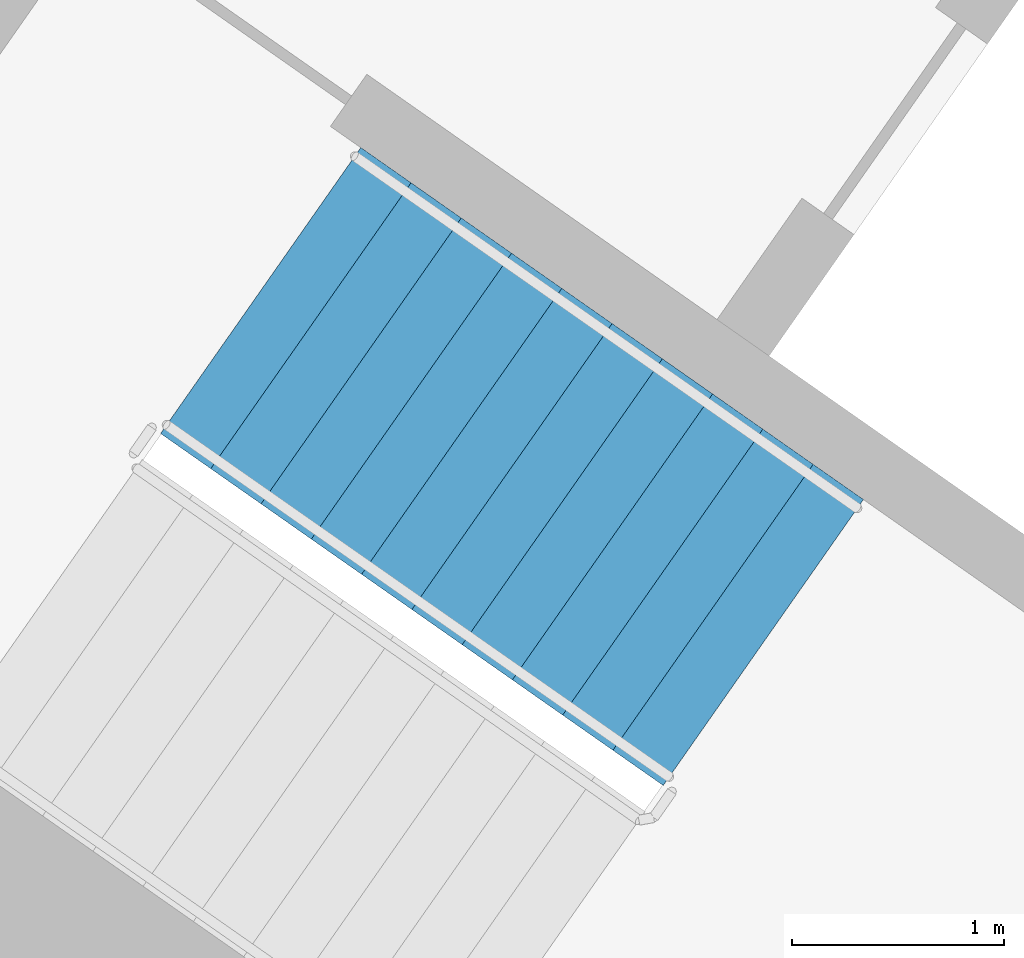
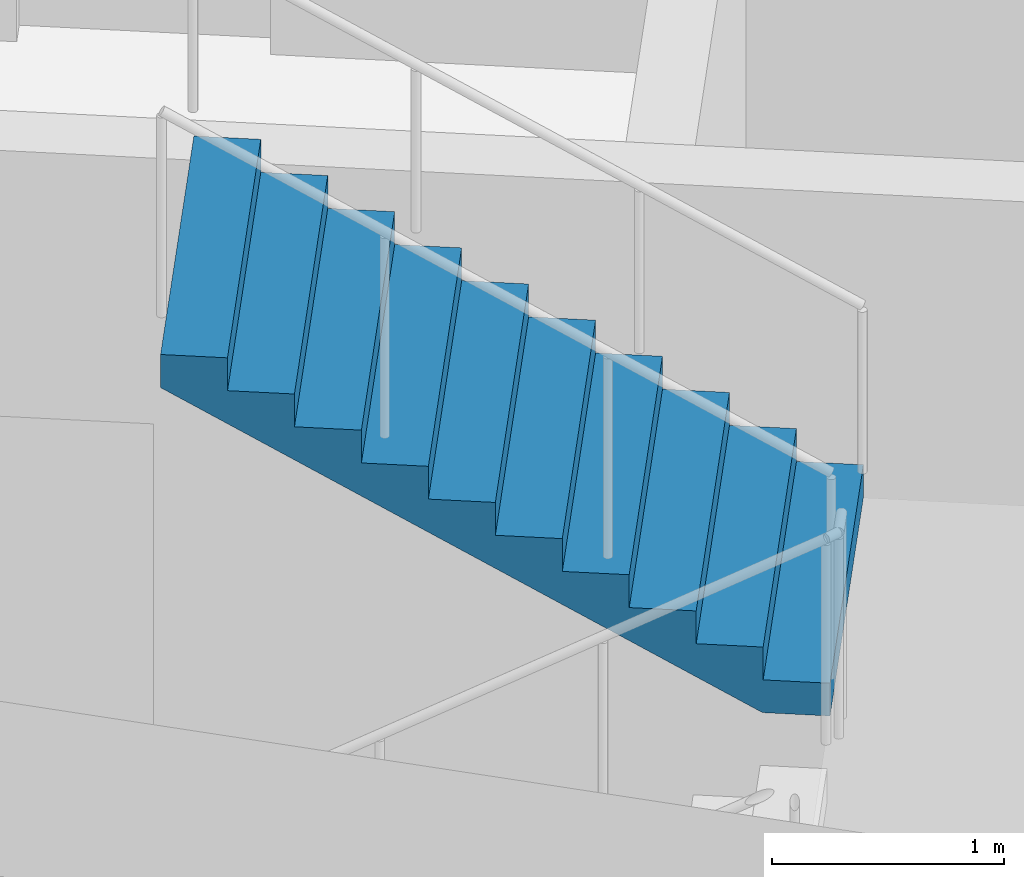
# One storey, part 11 of 30: 1 stair flight, 1 element without a shape of its own.
"""IFC4 building model written with IfcOpenShell, lengths in metres."""

from ifc_helpers import new_model, si_unit, direction, frame, origin, place, context, subcontext, project, spatial, faceted_brep, material, type_object, element, aggregate, save


model = new_model("IFC4")

# Units and contexts
model_context = context("Model", 3, precision=1e-05, world=origin(), true_north=direction((0.0, 1.0)))
body_context = subcontext(model_context, "Body", "Model", "MODEL_VIEW")
ifc_project = project(units=[si_unit("LENGTHUNIT", "METRE"), si_unit("AREAUNIT", "SQUARE_METRE"), si_unit("VOLUMEUNIT", "CUBIC_METRE"), si_unit("PLANEANGLEUNIT", "RADIAN"), si_unit("MASSUNIT", "GRAM", prefix="KILO")], contexts=[model_context])

# Site, building, storey
site_placement = place(None, origin())
site = spatial("IfcSite", under=ifc_project, at=site_placement, CompositionType="ELEMENT")
building_placement = place(site_placement, origin())
building = spatial("IfcBuilding", under=site, at=building_placement, Name="Qamariyya Broadcast Tower", CompositionType="ELEMENT")
storey_placement = place(building_placement, frame((0.0, 0.0, 110.10009765625)))
storey = spatial("IfcBuildingStorey", under=building, at=storey_placement, Name="L24", CompositionType="ELEMENT", Elevation=110.10009765625)

# Stair, stair flight
ifc_material = material(Name="Concrete C50/60", Category="concrete")
stair_type = type_object("IfcStairType", Name="Exit stair 22 risers of 173 mm", PredefinedType="HALF_TURN_STAIR", material=ifc_material)
stair_placement = place(storey_placement, origin())
stair = element("IfcStair", 1, at=stair_placement, inside=storey, type_object=stair_type, Name="L24 Stair W1", PredefinedType="HALF_TURN_STAIR")
stair_flight_type = type_object("IfcStairFlightType", Name="Exit stair flight 11 risers of 173 mm", PredefinedType="STRAIGHT", material=ifc_material)
stair_flight_placement = place(storey_placement, frame((-43.660888671875, -57.17138671875, 1.89990234375), z_axis=(0.0, 0.0, 1.0), x_axis=(-0.819152044289, 0.573576436351, 0.0)))
stair_flight = element("IfcStairFlight", 2, at=stair_flight_placement, type_object=stair_flight_type, Name="ST-W1 flight 2", NumberOfRisers=11, NumberOfTreads=10, PredefinedType="STRAIGHT", RiserHeight=0.172727273, TreadLength=0.29, context=body_context, shape_type="Brep", body=[
    faceted_brep([(0.0, 0.824951171875, 0.0), (0.0, 0.824951171875, 0.172607421875), (0.2900390625, 0.824951171875, 0.172607421875), (0.2900390625, 0.824951171875, 0.345458984375), (0.580078125, 0.824951171875, 0.345458984375), (0.580078125, 0.824951171875, 0.51806640625), (0.8701171875, 0.824951171875, 0.51806640625), (0.8701171875, 0.824951171875, 0.69091796875), (1.159912109375, 0.824951171875, 0.69091796875), (1.159912109375, 0.824951171875, 0.863525390625), (1.449951171875, 0.824951171875, 0.863525390625), (1.449951171875, 0.824951171875, 1.036376953125), (1.739990234375, 0.824951171875, 1.036376953125), (1.739990234375, 0.824951171875, 1.208984375), (2.030029296875, 0.824951171875, 1.208984375), (2.030029296875, 0.824951171875, 1.3818359375), (2.320068359375, 0.824951171875, 1.3818359375), (2.320068359375, 0.824951171875, 1.554443359375), (2.610107421875, 0.824951171875, 1.554443359375), (2.610107421875, 0.824951171875, 1.727294921875), (2.89990234375, 0.824951171875, 1.727294921875), (2.89990234375, 0.824951171875, 1.552734375), (0.29296875, 0.824951171875, 0.0), (0.29296875, -0.824951171875, 0.0), (2.89990234375, -0.824951171875, 1.552734375), (2.89990234375, -0.824951171875, 1.727294921875), (2.610107421875, -0.824951171875, 1.727294921875), (2.610107421875, -0.824951171875, 1.554443359375), (2.320068359375, -0.824951171875, 1.554443359375), (2.320068359375, -0.824951171875, 1.3818359375), (2.030029296875, -0.824951171875, 1.3818359375), (2.030029296875, -0.824951171875, 1.208984375), (1.739990234375, -0.824951171875, 1.208984375), (1.739990234375, -0.824951171875, 1.036376953125), (1.449951171875, -0.824951171875, 1.036376953125), (1.449951171875, -0.824951171875, 0.863525390625), (1.159912109375, -0.824951171875, 0.863525390625), (1.159912109375, -0.824951171875, 0.69091796875), (0.8701171875, -0.824951171875, 0.69091796875), (0.8701171875, -0.824951171875, 0.51806640625), (0.580078125, -0.824951171875, 0.51806640625), (0.580078125, -0.824951171875, 0.345458984375), (0.2900390625, -0.824951171875, 0.345458984375), (0.2900390625, -0.824951171875, 0.172607421875), (0.0, -0.824951171875, 0.172607421875), (0.0, -0.824951171875, 0.0), (0.0, 0.10009765625, 0.0), (0.0, 0.086669921875, 0.0), (0.0, 0.0732421875, 0.0), (0.0, 0.06005859375, 0.0), (0.0, 0.046630859375, 0.0), (0.0, 0.033447265625, 0.0), (0.0, 0.02001953125, 0.0), (0.0, 0.006591796875, 0.0), (0.0, -0.006591796875, 0.0), (0.0, -0.02001953125, 0.0), (0.0, -0.033447265625, 0.0), (0.0, -0.046630859375, 0.0), (0.0, -0.06005859375, 0.0), (0.0, -0.0732421875, 0.0), (0.0, -0.086669921875, 0.0), (0.0, -0.10009765625, 0.0), (0.0, -0.10009765625, 0.172607421875), (0.0, -0.086669921875, 0.172607421875), (0.0, -0.0732421875, 0.172607421875), (0.0, -0.06005859375, 0.172607421875), (0.0, -0.046630859375, 0.172607421875), (0.0, -0.033447265625, 0.172607421875), (0.0, -0.02001953125, 0.172607421875), (0.0, -0.006591796875, 0.172607421875), (0.0, 0.006591796875, 0.172607421875), (0.0, 0.02001953125, 0.172607421875), (0.0, 0.033447265625, 0.172607421875), (0.0, 0.046630859375, 0.172607421875), (0.0, 0.06005859375, 0.172607421875), (0.0, 0.0732421875, 0.172607421875), (0.0, 0.086669921875, 0.172607421875), (0.0, 0.10009765625, 0.172607421875), (0.2900390625, -0.10009765625, 0.172607421875), (0.2900390625, -0.086669921875, 0.172607421875), (0.2900390625, -0.0732421875, 0.172607421875), (0.2900390625, -0.06005859375, 0.172607421875), (0.2900390625, -0.046630859375, 0.172607421875), (0.2900390625, -0.033447265625, 0.172607421875), (0.2900390625, -0.02001953125, 0.172607421875), (0.2900390625, -0.006591796875, 0.172607421875), (0.2900390625, 0.006591796875, 0.172607421875), (0.2900390625, 0.02001953125, 0.172607421875), (0.2900390625, 0.033447265625, 0.172607421875), (0.2900390625, 0.046630859375, 0.172607421875), (0.2900390625, 0.06005859375, 0.172607421875), (0.2900390625, 0.0732421875, 0.172607421875), (0.2900390625, 0.086669921875, 0.172607421875), (0.2900390625, 0.10009765625, 0.172607421875), (0.2900390625, -0.10009765625, 0.345458984375), (0.2900390625, -0.086669921875, 0.345458984375), (0.2900390625, -0.0732421875, 0.345458984375), (0.2900390625, -0.06005859375, 0.345458984375), (0.2900390625, -0.046630859375, 0.345458984375), (0.2900390625, -0.033447265625, 0.345458984375), (0.2900390625, -0.02001953125, 0.345458984375), (0.2900390625, -0.006591796875, 0.345458984375), (0.2900390625, 0.006591796875, 0.345458984375), (0.2900390625, 0.02001953125, 0.345458984375), (0.2900390625, 0.033447265625, 0.345458984375), (0.2900390625, 0.046630859375, 0.345458984375), (0.2900390625, 0.06005859375, 0.345458984375), (0.2900390625, 0.0732421875, 0.345458984375), (0.2900390625, 0.086669921875, 0.345458984375), (0.2900390625, 0.10009765625, 0.345458984375), (0.580078125, -0.10009765625, 0.345458984375), (0.580078125, -0.086669921875, 0.345458984375), (0.580078125, -0.0732421875, 0.345458984375), (0.580078125, -0.06005859375, 0.345458984375), (0.580078125, -0.046630859375, 0.345458984375), (0.580078125, -0.033447265625, 0.345458984375), (0.580078125, -0.02001953125, 0.345458984375), (0.580078125, -0.006591796875, 0.345458984375), (0.580078125, 0.006591796875, 0.345458984375), (0.580078125, 0.02001953125, 0.345458984375), (0.580078125, 0.033447265625, 0.345458984375), (0.580078125, 0.046630859375, 0.345458984375), (0.580078125, 0.06005859375, 0.345458984375), (0.580078125, 0.0732421875, 0.345458984375), (0.580078125, 0.086669921875, 0.345458984375), (0.580078125, 0.10009765625, 0.345458984375), (0.580078125, -0.10009765625, 0.51806640625), (0.580078125, -0.086669921875, 0.51806640625), (0.580078125, -0.0732421875, 0.51806640625), (0.580078125, -0.06005859375, 0.51806640625), (0.580078125, -0.046630859375, 0.51806640625), (0.580078125, -0.033447265625, 0.51806640625), (0.580078125, -0.02001953125, 0.51806640625), (0.580078125, -0.006591796875, 0.51806640625), (0.580078125, 0.006591796875, 0.51806640625), (0.580078125, 0.02001953125, 0.51806640625), (0.580078125, 0.033447265625, 0.51806640625), (0.580078125, 0.046630859375, 0.51806640625), (0.580078125, 0.06005859375, 0.51806640625), (0.580078125, 0.0732421875, 0.51806640625), (0.580078125, 0.086669921875, 0.51806640625), (0.580078125, 0.10009765625, 0.51806640625), (0.8701171875, -0.10009765625, 0.51806640625), (0.8701171875, -0.086669921875, 0.51806640625), (0.8701171875, -0.0732421875, 0.51806640625), (0.8701171875, -0.06005859375, 0.51806640625), (0.8701171875, -0.046630859375, 0.51806640625), (0.8701171875, -0.033447265625, 0.51806640625), (0.8701171875, -0.02001953125, 0.51806640625), (0.8701171875, -0.006591796875, 0.51806640625), (0.8701171875, 0.006591796875, 0.51806640625), (0.8701171875, 0.02001953125, 0.51806640625), (0.8701171875, 0.033447265625, 0.51806640625), (0.8701171875, 0.046630859375, 0.51806640625), (0.8701171875, 0.06005859375, 0.51806640625), (0.8701171875, 0.0732421875, 0.51806640625), (0.8701171875, 0.086669921875, 0.51806640625), (0.8701171875, 0.10009765625, 0.51806640625), (0.8701171875, -0.10009765625, 0.69091796875), (0.8701171875, -0.086669921875, 0.69091796875), (0.8701171875, -0.0732421875, 0.69091796875), (0.8701171875, -0.06005859375, 0.69091796875), (0.8701171875, -0.046630859375, 0.69091796875), (0.8701171875, -0.033447265625, 0.69091796875), (0.8701171875, -0.02001953125, 0.69091796875), (0.8701171875, -0.006591796875, 0.69091796875), (0.8701171875, 0.006591796875, 0.69091796875), (0.8701171875, 0.02001953125, 0.69091796875), (0.8701171875, 0.033447265625, 0.69091796875), (0.8701171875, 0.046630859375, 0.69091796875), (0.8701171875, 0.06005859375, 0.69091796875), (0.8701171875, 0.0732421875, 0.69091796875), (0.8701171875, 0.086669921875, 0.69091796875), (0.8701171875, 0.10009765625, 0.69091796875), (1.159912109375, -0.10009765625, 0.69091796875), (1.159912109375, -0.086669921875, 0.69091796875), (1.159912109375, -0.0732421875, 0.69091796875), (1.159912109375, -0.06005859375, 0.69091796875), (1.159912109375, -0.046630859375, 0.69091796875), (1.159912109375, -0.033447265625, 0.69091796875), (1.159912109375, -0.02001953125, 0.69091796875), (1.159912109375, -0.006591796875, 0.69091796875), (1.159912109375, 0.006591796875, 0.69091796875), (1.159912109375, 0.02001953125, 0.69091796875), (1.159912109375, 0.033447265625, 0.69091796875), (1.159912109375, 0.046630859375, 0.69091796875), (1.159912109375, 0.06005859375, 0.69091796875), (1.159912109375, 0.0732421875, 0.69091796875), (1.159912109375, 0.086669921875, 0.69091796875), (1.159912109375, 0.10009765625, 0.69091796875), (1.159912109375, -0.10009765625, 0.863525390625), (1.159912109375, -0.086669921875, 0.863525390625), (1.159912109375, -0.0732421875, 0.863525390625), (1.159912109375, -0.06005859375, 0.863525390625), (1.159912109375, -0.046630859375, 0.863525390625), (1.159912109375, -0.033447265625, 0.863525390625), (1.159912109375, -0.02001953125, 0.863525390625), (1.159912109375, -0.006591796875, 0.863525390625), (1.159912109375, 0.006591796875, 0.863525390625), (1.159912109375, 0.02001953125, 0.863525390625), (1.159912109375, 0.033447265625, 0.863525390625), (1.159912109375, 0.046630859375, 0.863525390625), (1.159912109375, 0.06005859375, 0.863525390625), (1.159912109375, 0.0732421875, 0.863525390625), (1.159912109375, 0.086669921875, 0.863525390625), (1.159912109375, 0.10009765625, 0.863525390625), (1.449951171875, -0.10009765625, 0.863525390625), (1.449951171875, -0.086669921875, 0.863525390625), (1.449951171875, -0.0732421875, 0.863525390625), (1.449951171875, -0.06005859375, 0.863525390625), (1.449951171875, -0.046630859375, 0.863525390625), (1.449951171875, -0.033447265625, 0.863525390625), (1.449951171875, -0.02001953125, 0.863525390625), (1.449951171875, -0.006591796875, 0.863525390625), (1.449951171875, 0.006591796875, 0.863525390625), (1.449951171875, 0.02001953125, 0.863525390625), (1.449951171875, 0.033447265625, 0.863525390625), (1.449951171875, 0.046630859375, 0.863525390625), (1.449951171875, 0.06005859375, 0.863525390625), (1.449951171875, 0.0732421875, 0.863525390625), (1.449951171875, 0.086669921875, 0.863525390625), (1.449951171875, 0.10009765625, 0.863525390625), (1.449951171875, -0.10009765625, 1.036376953125), (1.449951171875, -0.086669921875, 1.036376953125), (1.449951171875, -0.0732421875, 1.036376953125), (1.449951171875, -0.06005859375, 1.036376953125), (1.449951171875, -0.046630859375, 1.036376953125), (1.449951171875, -0.033447265625, 1.036376953125), (1.449951171875, -0.02001953125, 1.036376953125), (1.449951171875, -0.006591796875, 1.036376953125), (1.449951171875, 0.006591796875, 1.036376953125), (1.449951171875, 0.02001953125, 1.036376953125), (1.449951171875, 0.033447265625, 1.036376953125), (1.449951171875, 0.046630859375, 1.036376953125), (1.449951171875, 0.06005859375, 1.036376953125), (1.449951171875, 0.0732421875, 1.036376953125), (1.449951171875, 0.086669921875, 1.036376953125), (1.449951171875, 0.10009765625, 1.036376953125), (1.739990234375, -0.10009765625, 1.036376953125), (1.739990234375, -0.086669921875, 1.036376953125), (1.739990234375, -0.0732421875, 1.036376953125), (1.739990234375, -0.06005859375, 1.036376953125), (1.739990234375, -0.046630859375, 1.036376953125), (1.739990234375, -0.033447265625, 1.036376953125), (1.739990234375, -0.02001953125, 1.036376953125), (1.739990234375, -0.006591796875, 1.036376953125), (1.739990234375, 0.006591796875, 1.036376953125), (1.739990234375, 0.02001953125, 1.036376953125), (1.739990234375, 0.033447265625, 1.036376953125), (1.739990234375, 0.046630859375, 1.036376953125), (1.739990234375, 0.06005859375, 1.036376953125), (1.739990234375, 0.0732421875, 1.036376953125), (1.739990234375, 0.086669921875, 1.036376953125), (1.739990234375, 0.10009765625, 1.036376953125), (1.739990234375, -0.10009765625, 1.208984375), (1.739990234375, -0.086669921875, 1.208984375), (1.739990234375, -0.0732421875, 1.208984375), (1.739990234375, -0.06005859375, 1.208984375), (1.739990234375, -0.046630859375, 1.208984375), (1.739990234375, -0.033447265625, 1.208984375), (1.739990234375, -0.02001953125, 1.208984375), (1.739990234375, -0.006591796875, 1.208984375), (1.739990234375, 0.006591796875, 1.208984375), (1.739990234375, 0.02001953125, 1.208984375), (1.739990234375, 0.033447265625, 1.208984375), (1.739990234375, 0.046630859375, 1.208984375), (1.739990234375, 0.06005859375, 1.208984375), (1.739990234375, 0.0732421875, 1.208984375), (1.739990234375, 0.086669921875, 1.208984375), (1.739990234375, 0.10009765625, 1.208984375), (2.030029296875, -0.10009765625, 1.208984375), (2.030029296875, -0.086669921875, 1.208984375), (2.030029296875, -0.0732421875, 1.208984375), (2.030029296875, -0.06005859375, 1.208984375), (2.030029296875, -0.046630859375, 1.208984375), (2.030029296875, -0.033447265625, 1.208984375), (2.030029296875, -0.02001953125, 1.208984375), (2.030029296875, -0.006591796875, 1.208984375), (2.030029296875, 0.006591796875, 1.208984375), (2.030029296875, 0.02001953125, 1.208984375), (2.030029296875, 0.033447265625, 1.208984375), (2.030029296875, 0.046630859375, 1.208984375), (2.030029296875, 0.06005859375, 1.208984375), (2.030029296875, 0.0732421875, 1.208984375), (2.030029296875, 0.086669921875, 1.208984375), (2.030029296875, 0.10009765625, 1.208984375), (2.030029296875, -0.10009765625, 1.3818359375), (2.030029296875, -0.086669921875, 1.3818359375), (2.030029296875, -0.0732421875, 1.3818359375), (2.030029296875, -0.06005859375, 1.3818359375), (2.030029296875, -0.046630859375, 1.3818359375), (2.030029296875, -0.033447265625, 1.3818359375), (2.030029296875, -0.02001953125, 1.3818359375), (2.030029296875, -0.006591796875, 1.3818359375), (2.030029296875, 0.006591796875, 1.3818359375), (2.030029296875, 0.02001953125, 1.3818359375), (2.030029296875, 0.033447265625, 1.3818359375), (2.030029296875, 0.046630859375, 1.3818359375), (2.030029296875, 0.06005859375, 1.3818359375), (2.030029296875, 0.0732421875, 1.3818359375), (2.030029296875, 0.086669921875, 1.3818359375), (2.030029296875, 0.10009765625, 1.3818359375), (2.320068359375, -0.10009765625, 1.3818359375), (2.320068359375, -0.086669921875, 1.3818359375), (2.320068359375, -0.0732421875, 1.3818359375), (2.320068359375, -0.06005859375, 1.3818359375), (2.320068359375, -0.046630859375, 1.3818359375), (2.320068359375, -0.033447265625, 1.3818359375), (2.320068359375, -0.02001953125, 1.3818359375), (2.320068359375, -0.006591796875, 1.3818359375), (2.320068359375, 0.006591796875, 1.3818359375), (2.320068359375, 0.02001953125, 1.3818359375), (2.320068359375, 0.033447265625, 1.3818359375), (2.320068359375, 0.046630859375, 1.3818359375), (2.320068359375, 0.06005859375, 1.3818359375), (2.320068359375, 0.0732421875, 1.3818359375), (2.320068359375, 0.086669921875, 1.3818359375), (2.320068359375, 0.10009765625, 1.3818359375), (2.320068359375, -0.10009765625, 1.554443359375), (2.320068359375, -0.086669921875, 1.554443359375), (2.320068359375, -0.0732421875, 1.554443359375), (2.320068359375, -0.06005859375, 1.554443359375), (2.320068359375, -0.046630859375, 1.554443359375), (2.320068359375, -0.033447265625, 1.554443359375), (2.320068359375, -0.02001953125, 1.554443359375), (2.320068359375, -0.006591796875, 1.554443359375), (2.320068359375, 0.006591796875, 1.554443359375), (2.320068359375, 0.02001953125, 1.554443359375), (2.320068359375, 0.033447265625, 1.554443359375), (2.320068359375, 0.046630859375, 1.554443359375), (2.320068359375, 0.06005859375, 1.554443359375), (2.320068359375, 0.0732421875, 1.554443359375), (2.320068359375, 0.086669921875, 1.554443359375), (2.320068359375, 0.10009765625, 1.554443359375), (2.610107421875, -0.10009765625, 1.554443359375), (2.610107421875, -0.086669921875, 1.554443359375), (2.610107421875, -0.0732421875, 1.554443359375), (2.610107421875, -0.06005859375, 1.554443359375), (2.610107421875, -0.046630859375, 1.554443359375), (2.610107421875, -0.033447265625, 1.554443359375), (2.610107421875, -0.02001953125, 1.554443359375), (2.610107421875, -0.006591796875, 1.554443359375), (2.610107421875, 0.006591796875, 1.554443359375), (2.610107421875, 0.02001953125, 1.554443359375), (2.610107421875, 0.033447265625, 1.554443359375), (2.610107421875, 0.046630859375, 1.554443359375), (2.610107421875, 0.06005859375, 1.554443359375), (2.610107421875, 0.0732421875, 1.554443359375), (2.610107421875, 0.086669921875, 1.554443359375), (2.610107421875, 0.10009765625, 1.554443359375), (2.610107421875, -0.10009765625, 1.727294921875), (2.610107421875, -0.086669921875, 1.727294921875), (2.610107421875, -0.0732421875, 1.727294921875), (2.610107421875, -0.06005859375, 1.727294921875), (2.610107421875, -0.046630859375, 1.727294921875), (2.610107421875, -0.033447265625, 1.727294921875), (2.610107421875, -0.02001953125, 1.727294921875), (2.610107421875, -0.006591796875, 1.727294921875), (2.610107421875, 0.006591796875, 1.727294921875), (2.610107421875, 0.02001953125, 1.727294921875), (2.610107421875, 0.033447265625, 1.727294921875), (2.610107421875, 0.046630859375, 1.727294921875), (2.610107421875, 0.06005859375, 1.727294921875), (2.610107421875, 0.0732421875, 1.727294921875), (2.610107421875, 0.086669921875, 1.727294921875), (2.610107421875, 0.10009765625, 1.727294921875), (2.89990234375, -0.10009765625, 1.727294921875), (2.89990234375, -0.086669921875, 1.727294921875), (2.89990234375, -0.0732421875, 1.727294921875), (2.89990234375, -0.06005859375, 1.727294921875), (2.89990234375, -0.046630859375, 1.727294921875), (2.89990234375, -0.033447265625, 1.727294921875), (2.89990234375, -0.02001953125, 1.727294921875), (2.89990234375, -0.006591796875, 1.727294921875), (2.89990234375, 0.006591796875, 1.727294921875), (2.89990234375, 0.02001953125, 1.727294921875), (2.89990234375, 0.033447265625, 1.727294921875), (2.89990234375, 0.046630859375, 1.727294921875), (2.89990234375, 0.06005859375, 1.727294921875), (2.89990234375, 0.0732421875, 1.727294921875), (2.89990234375, 0.086669921875, 1.727294921875), (2.89990234375, 0.10009765625, 1.727294921875), (2.89990234375, -0.10009765625, 1.552734375), (2.89990234375, -0.086669921875, 1.552734375), (2.89990234375, -0.0732421875, 1.552734375), (2.89990234375, -0.06005859375, 1.552734375), (2.89990234375, -0.046630859375, 1.552734375), (2.89990234375, -0.033447265625, 1.552734375), (2.89990234375, -0.02001953125, 1.552734375), (2.89990234375, -0.006591796875, 1.552734375), (2.89990234375, 0.006591796875, 1.552734375), (2.89990234375, 0.02001953125, 1.552734375), (2.89990234375, 0.033447265625, 1.552734375), (2.89990234375, 0.046630859375, 1.552734375), (2.89990234375, 0.06005859375, 1.552734375), (2.89990234375, 0.0732421875, 1.552734375), (2.89990234375, 0.086669921875, 1.552734375), (2.89990234375, 0.10009765625, 1.552734375), (0.29296875, -0.10009765625, 0.0), (0.29296875, -0.086669921875, 0.0), (0.29296875, -0.0732421875, 0.0), (0.29296875, -0.06005859375, 0.0), (0.29296875, -0.046630859375, 0.0), (0.29296875, -0.033447265625, 0.0), (0.29296875, -0.02001953125, 0.0), (0.29296875, -0.006591796875, 0.0), (0.29296875, 0.006591796875, 0.0), (0.29296875, 0.02001953125, 0.0), (0.29296875, 0.033447265625, 0.0), (0.29296875, 0.046630859375, 0.0), (0.29296875, 0.06005859375, 0.0), (0.29296875, 0.0732421875, 0.0), (0.29296875, 0.086669921875, 0.0), (0.29296875, 0.10009765625, 0.0)], [[[0, 1, 2, 3, 4, 5, 6, 7, 8, 9, 10, 11, 12, 13, 14, 15, 16, 17, 18, 19, 20, 21, 22]], [[23, 24, 25, 26, 27, 28, 29, 30, 31, 32, 33, 34, 35, 36, 37, 38, 39, 40, 41, 42, 43, 44, 45]], [[0, 46, 47, 48, 49, 50, 51, 52, 53, 54, 55, 56, 57, 58, 59, 60, 61, 45, 44, 62, 63, 64, 65, 66, 67, 68, 69, 70, 71, 72, 73, 74, 75, 76, 77, 1]], [[1, 77, 76, 75, 74, 73, 72, 71, 70, 69, 68, 67, 66, 65, 64, 63, 62, 44, 43, 78, 79, 80, 81, 82, 83, 84, 85, 86, 87, 88, 89, 90, 91, 92, 93, 2]], [[2, 93, 92, 91, 90, 89, 88, 87, 86, 85, 84, 83, 82, 81, 80, 79, 78, 43, 42, 94, 95, 96, 97, 98, 99, 100, 101, 102, 103, 104, 105, 106, 107, 108, 109, 3]], [[3, 109, 108, 107, 106, 105, 104, 103, 102, 101, 100, 99, 98, 97, 96, 95, 94, 42, 41, 110, 111, 112, 113, 114, 115, 116, 117, 118, 119, 120, 121, 122, 123, 124, 125, 4]], [[4, 125, 124, 123, 122, 121, 120, 119, 118, 117, 116, 115, 114, 113, 112, 111, 110, 41, 40, 126, 127, 128, 129, 130, 131, 132, 133, 134, 135, 136, 137, 138, 139, 140, 141, 5]], [[5, 141, 140, 139, 138, 137, 136, 135, 134, 133, 132, 131, 130, 129, 128, 127, 126, 40, 39, 142, 143, 144, 145, 146, 147, 148, 149, 150, 151, 152, 153, 154, 155, 156, 157, 6]], [[6, 157, 156, 155, 154, 153, 152, 151, 150, 149, 148, 147, 146, 145, 144, 143, 142, 39, 38, 158, 159, 160, 161, 162, 163, 164, 165, 166, 167, 168, 169, 170, 171, 172, 173, 7]], [[7, 173, 172, 171, 170, 169, 168, 167, 166, 165, 164, 163, 162, 161, 160, 159, 158, 38, 37, 174, 175, 176, 177, 178, 179, 180, 181, 182, 183, 184, 185, 186, 187, 188, 189, 8]], [[8, 189, 188, 187, 186, 185, 184, 183, 182, 181, 180, 179, 178, 177, 176, 175, 174, 37, 36, 190, 191, 192, 193, 194, 195, 196, 197, 198, 199, 200, 201, 202, 203, 204, 205, 9]], [[9, 205, 204, 203, 202, 201, 200, 199, 198, 197, 196, 195, 194, 193, 192, 191, 190, 36, 35, 206, 207, 208, 209, 210, 211, 212, 213, 214, 215, 216, 217, 218, 219, 220, 221, 10]], [[10, 221, 220, 219, 218, 217, 216, 215, 214, 213, 212, 211, 210, 209, 208, 207, 206, 35, 34, 222, 223, 224, 225, 226, 227, 228, 229, 230, 231, 232, 233, 234, 235, 236, 237, 11]], [[11, 237, 236, 235, 234, 233, 232, 231, 230, 229, 228, 227, 226, 225, 224, 223, 222, 34, 33, 238, 239, 240, 241, 242, 243, 244, 245, 246, 247, 248, 249, 250, 251, 252, 253, 12]], [[12, 253, 252, 251, 250, 249, 248, 247, 246, 245, 244, 243, 242, 241, 240, 239, 238, 33, 32, 254, 255, 256, 257, 258, 259, 260, 261, 262, 263, 264, 265, 266, 267, 268, 269, 13]], [[13, 269, 268, 267, 266, 265, 264, 263, 262, 261, 260, 259, 258, 257, 256, 255, 254, 32, 31, 270, 271, 272, 273, 274, 275, 276, 277, 278, 279, 280, 281, 282, 283, 284, 285, 14]], [[14, 285, 284, 283, 282, 281, 280, 279, 278, 277, 276, 275, 274, 273, 272, 271, 270, 31, 30, 286, 287, 288, 289, 290, 291, 292, 293, 294, 295, 296, 297, 298, 299, 300, 301, 15]], [[15, 301, 300, 299, 298, 297, 296, 295, 294, 293, 292, 291, 290, 289, 288, 287, 286, 30, 29, 302, 303, 304, 305, 306, 307, 308, 309, 310, 311, 312, 313, 314, 315, 316, 317, 16]], [[16, 317, 316, 315, 314, 313, 312, 311, 310, 309, 308, 307, 306, 305, 304, 303, 302, 29, 28, 318, 319, 320, 321, 322, 323, 324, 325, 326, 327, 328, 329, 330, 331, 332, 333, 17]], [[17, 333, 332, 331, 330, 329, 328, 327, 326, 325, 324, 323, 322, 321, 320, 319, 318, 28, 27, 334, 335, 336, 337, 338, 339, 340, 341, 342, 343, 344, 345, 346, 347, 348, 349, 18]], [[18, 349, 348, 347, 346, 345, 344, 343, 342, 341, 340, 339, 338, 337, 336, 335, 334, 27, 26, 350, 351, 352, 353, 354, 355, 356, 357, 358, 359, 360, 361, 362, 363, 364, 365, 19]], [[19, 365, 364, 363, 362, 361, 360, 359, 358, 357, 356, 355, 354, 353, 352, 351, 350, 26, 25, 366, 367, 368, 369, 370, 371, 372, 373, 374, 375, 376, 377, 378, 379, 380, 381, 20]], [[20, 381, 380, 379, 378, 377, 376, 375, 374, 373, 372, 371, 370, 369, 368, 367, 366, 25, 24, 382, 383, 384, 385, 386, 387, 388, 389, 390, 391, 392, 393, 394, 395, 396, 397, 21]], [[21, 397, 396, 395, 394, 393, 392, 391, 390, 389, 388, 387, 386, 385, 384, 383, 382, 24, 23, 398, 399, 400, 401, 402, 403, 404, 405, 406, 407, 408, 409, 410, 411, 412, 413, 22]], [[22, 413, 412, 411, 410, 409, 408, 407, 406, 405, 404, 403, 402, 401, 400, 399, 398, 23, 45, 61, 60, 59, 58, 57, 56, 55, 54, 53, 52, 51, 50, 49, 48, 47, 46, 0]]]),
])
aggregate(stair, [stair_flight])

save(model, "model.ifc")
